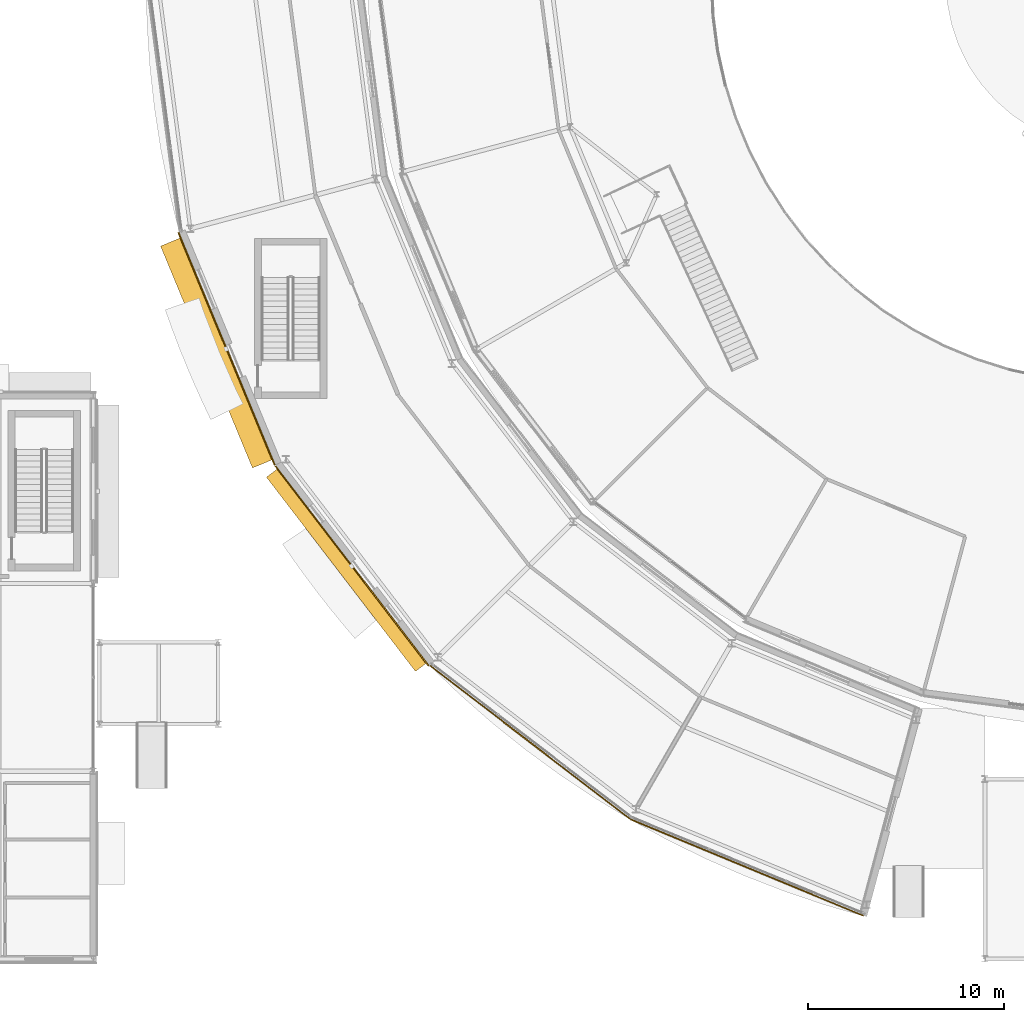
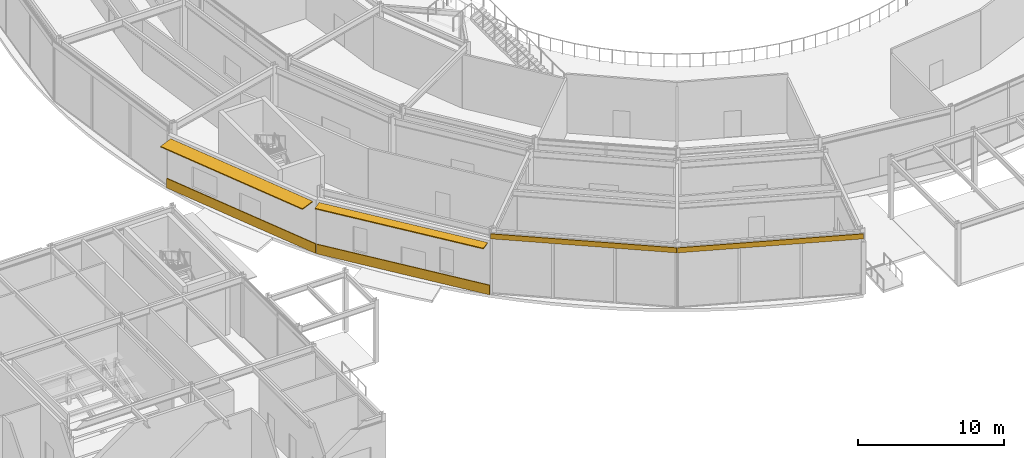
# One storey, part 144 of 168: 4 coverings, 2 shading devices.
"""IFC4 building model written with IfcOpenShell, lengths in metres."""

from ifc_helpers import new_model, si_unit, direction, frame, origin, origin_2d, place, context, subcontext, project, spatial, rectangle, extrude, material, layer, layer_set, type_object, element, save


model = new_model("IFC4")

# Units and contexts
model_context = context("Model", 3, precision=1e-05, world=origin(), true_north=direction((0.0, 1.0)))
body_context = subcontext(model_context, "Body", "Model", "MODEL_VIEW")
ifc_project = project(units=[si_unit("LENGTHUNIT", "METRE"), si_unit("AREAUNIT", "SQUARE_METRE"), si_unit("VOLUMEUNIT", "CUBIC_METRE"), si_unit("PLANEANGLEUNIT", "RADIAN"), si_unit("MASSUNIT", "GRAM", prefix="KILO")], contexts=[model_context])

# Site, building, storey
site_placement = place(None, origin())
site = spatial("IfcSite", under=ifc_project, at=site_placement, CompositionType="ELEMENT")
building_placement = place(site_placement, origin())
building = spatial("IfcBuilding", under=site, at=building_placement, Name="Almandine Court Research Institute", CompositionType="ELEMENT")
storey_placement = place(building_placement, origin())
storey = spatial("IfcBuildingStorey", under=building, at=storey_placement, Name="L00", CompositionType="ELEMENT", Elevation=0.0)

# Coverings
ifc_material_1 = material(Name="Honed Andean Red-Buff Sandstone Cladding", Category="masonry")
ifc_layer_1 = layer(ifc_material_1, 0.06494140625)
ifc_layer_set_1 = layer_set([ifc_layer_1], Name="Honed Andean Red-Buff Sandstone Cladding")
covering_type_1 = type_object("IfcCoveringType", Name="Cov-CLAD-SAND", PredefinedType="CLADDING", material=ifc_layer_set_1)
covering_1_placement = place(storey_placement, frame((41.6201171875, 37.202880859375, 0.02001953125), z_axis=(0.0, 0.0, 1.0), x_axis=(-0.382683432365, 0.923879532511, 0.0)))
element("IfcCovering", 1, at=covering_1_placement, inside=storey, type_object=covering_type_1, Name="L00 Facade Spandrel Cladding Band 286", PredefinedType="CLADDING", context=body_context, shape_type="SweptSolid", body=[
    extrude(rectangle(XDim=12.868896484375, YDim=0.06494140625, at=origin_2d()), origin(), (0.0, 0.0, 1.0), 0.800048828125),
])
covering_2_placement = place(storey_placement, frame((48.031982421875, 26.097900390625, 0.02001953125), z_axis=(0.0, 0.0, 1.0), x_axis=(-0.608761429009, 0.793353340291, 0.0)))
element("IfcCovering", 2, at=covering_2_placement, inside=storey, type_object=covering_type_1, Name="L00 Facade Spandrel Cladding Band 288", PredefinedType="CLADDING", context=body_context, shape_type="SweptSolid", body=[
    extrude(rectangle(XDim=12.867919921875, YDim=0.06494140625, at=origin_2d()), origin(), (0.0, 0.0, 1.0), 0.800048828125),
])
ifc_material_2 = material(Name="Extruded Cream-Ochre Seismic Terracotta Spandrel", Category="masonry")
ifc_layer_2 = layer(ifc_material_2, 0.054931640625)
ifc_layer_set_2 = layer_set([ifc_layer_2], Name="Extruded Cream-Ochre Seismic Terracotta Spandrel")
covering_type_2 = type_object("IfcCoveringType", Name="Cov-CLAD-TERR", PredefinedType="CLADDING", material=ifc_layer_set_2)
for number, where, z_axis, x_axis, name in (
    (3, (57.135009765625, 17.080078125, 4.679931640625), (0.0, 0.0, 1.0), (-0.793353340291, 0.608761429009, 0.0), "L00 Drum Stacked Terracotta Ring Band 15"),
    (4, (68.22607421875, 10.676025390625, 4.679931640625), (0.0, 0.0, 1.0), (-0.923879532511, 0.382683432365, 0.0), "L00 Drum Stacked Terracotta Ring Band 16"),
):
    element("IfcCovering", number, at=place(storey_placement, frame(where, z_axis=z_axis, x_axis=x_axis)), inside=storey, type_object=covering_type_2, Name=name, PredefinedType="CLADDING", context=body_context, shape_type="SweptSolid", body=[
        extrude(rectangle(XDim=12.8779296875, YDim=0.054931640625, at=origin_2d()), origin(), (0.0, 0.0, 1.0), 0.419921875),
    ])

# Shading devices
ifc_material_3 = material(Name="Precast GFRC Chhajja Sunshade and Acoustic Louvre", Category="concrete")
ifc_layer_3 = layer(ifc_material_3, 0.080078125)
ifc_layer_set_3 = layer_set([ifc_layer_3], Name="Precast GFRC Chhajja Sunshade and Acoustic Louvre")
shading_device_type_1 = type_object("IfcShadingDeviceType", Name="Shd-SD-86", PredefinedType="AWNING", material=ifc_layer_set_3)
shading_device_1_placement = place(storey_placement, frame((41.1259765625, 36.998046875, 4.153076171875), z_axis=(0.0, 0.0, 1.0), x_axis=(-0.382683432365, 0.923879532511, 0.0)))
element("IfcShadingDevice", 5, at=shading_device_1_placement, inside=storey, type_object=shading_device_type_1, Name="L00 Projecting Chhajja Sunshade 183", PredefinedType="AWNING", context=body_context, shape_type="SweptSolid", body=[
    extrude(rectangle(XDim=12.279052734375, YDim=1.14990234375, at=origin_2d()), origin(), (0.0, 0.0, 1.0), 0.080078125),
])
ifc_layer_4 = layer(ifc_material_3, 0.080078125)
ifc_layer_set_4 = layer_set([ifc_layer_4], Name="Precast GFRC Chhajja Sunshade and Acoustic Louvre")
shading_device_type_2 = type_object("IfcShadingDeviceType", Name="Shd-SD-87", PredefinedType="AWNING", material=ifc_layer_set_4)
shading_device_2_placement = place(storey_placement, frame((47.76708984375, 25.89501953125, 4.23583984375), z_axis=(0.0, 0.0, 1.0), x_axis=(-0.608761429009, 0.793353340291, 0.0)))
element("IfcShadingDevice", 6, at=shading_device_2_placement, inside=storey, type_object=shading_device_type_2, Name="L00 Projecting Chhajja Sunshade 184", PredefinedType="AWNING", context=body_context, shape_type="SweptSolid", body=[
    extrude(rectangle(XDim=12.51806640625, YDim=0.75, at=origin_2d()), origin(), (0.0, 0.0, 1.0), 0.080078125),
])

save(model, "model.ifc")
